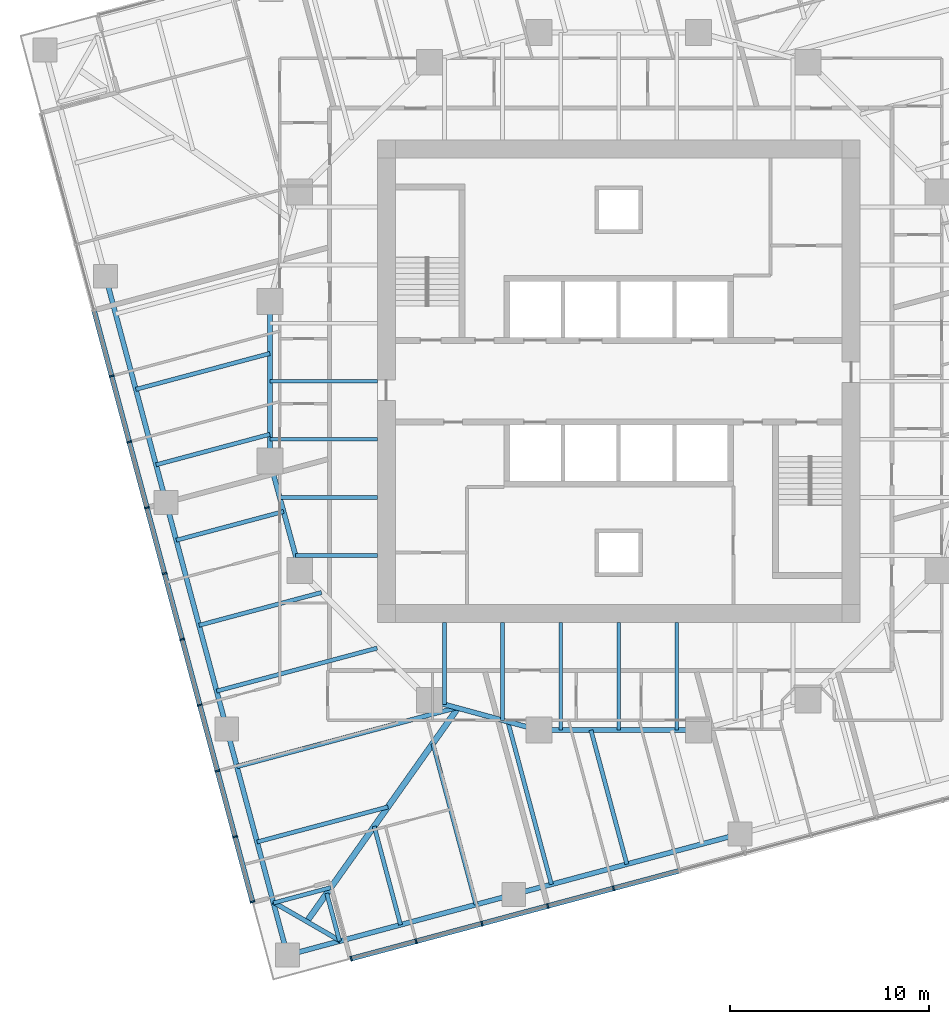
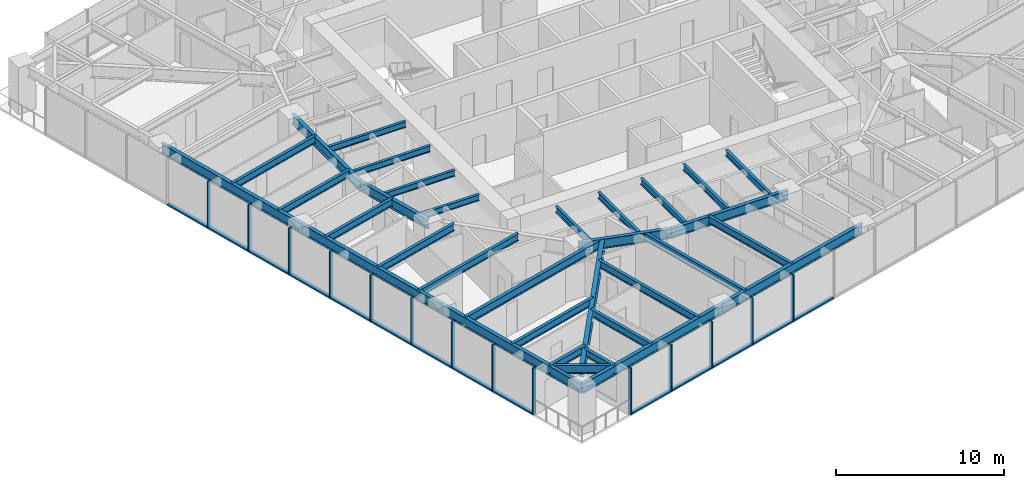
# One storey, part 2 of 14: 33 beams, 28 members, 2 elements without a shape of their own.
"""IFC4 building model written with IfcOpenShell, lengths in metres."""

from ifc_helpers import new_model, si_unit, direction, frame, origin, origin_2d, place, context, subcontext, project, spatial, rectangle, i_section, extrude, material, material_profile, profile_set, type_object, element, aggregate, save


model = new_model("IFC4")

# Units and contexts
model_context = context("Model", 3, precision=1e-05, world=origin(), true_north=direction((0.0, 1.0)))
body_context = subcontext(model_context, "Body", "Model", "MODEL_VIEW")
ifc_project = project(units=[si_unit("LENGTHUNIT", "METRE"), si_unit("AREAUNIT", "SQUARE_METRE"), si_unit("VOLUMEUNIT", "CUBIC_METRE"), si_unit("PLANEANGLEUNIT", "RADIAN"), si_unit("MASSUNIT", "GRAM", prefix="KILO")], contexts=[model_context])

# Site, building, storey
site_placement = place(None, origin())
site = spatial("IfcSite", under=ifc_project, at=site_placement, CompositionType="ELEMENT")
building_placement = place(site_placement, origin())
building = spatial("IfcBuilding", under=site, at=building_placement, Name="Torsade Residences", CompositionType="ELEMENT")
storey_placement = place(building_placement, frame((0.0, 0.0, 125.199951171875)))
storey = spatial("IfcBuildingStorey", under=building, at=storey_placement, Name="L34", CompositionType="ELEMENT", Elevation=125.199951171875)

# Beams
ifc_material_1 = material(Name="Steel grade 300", Category="steel")
ifc_material_profile_1 = material_profile(ifc_material_1, i_section(OverallWidth=0.300048828125, OverallDepth=0.89990234375, WebThickness=0.011962890625, FlangeThickness=0.02490234375, at=origin_2d()), Name="900WB175")
ifc_profile_set_1 = profile_set([ifc_material_profile_1], Name="Steel grade 300")
beam_type_1 = type_object("IfcBeamType", Name="CORNER GIRDER 900WB175", PredefinedType="BEAM", material=ifc_profile_set_1)
beam_1_placement = place(storey_placement, frame((24.355224609375, 2.902587890625, 2.800048828125), z_axis=(0.577683167004, 0.816261084801, 0.0), x_axis=(-0.816261084801, 0.577683167004, 0.0)))
element("IfcBeam", 1, at=beam_1_placement, inside=storey, type_object=beam_type_1, Name="Corner girder 01 L35", PredefinedType="BEAM", context=body_context, shape_type="SweptSolid", body=[
    extrude(i_section(OverallWidth=0.300048828125, OverallDepth=0.89990234375, WebThickness=0.011962890625, FlangeThickness=0.02490234375, at=origin_2d()), origin(), (0.0, 0.0, 1.0), 13.116943359375),
])
ifc_material_2 = material(Name="Steel grade 300", Category="steel")
ifc_material_profile_2 = material_profile(ifc_material_2, i_section(OverallWidth=0.22802734375, OverallDepth=0.60205078125, WebThickness=0.010498046875, FlangeThickness=0.014892578125, FilletRadius=0.013916015625, at=origin_2d()), Name="610UB101")
ifc_profile_set_2 = profile_set([ifc_material_profile_2], Name="Steel grade 300")
beam_type_2 = type_object("IfcBeamType", Name="CORNER TRIMMER 610UB101", PredefinedType="BEAM", material=ifc_profile_set_2)
beam_2_placement = place(storey_placement, frame((26.039306640625, 1.93017578125, 2.948974609375), z_axis=(-0.866028782848, 0.499994147244, 0.0), x_axis=(-0.499994147244, -0.866028782848, 0.0)))
element("IfcBeam", 2, at=beam_2_placement, inside=storey, type_object=beam_type_2, Name="Corner trimmer 01 L35", PredefinedType="BEAM", context=body_context, shape_type="SweptSolid", body=[
    extrude(i_section(OverallWidth=0.22802734375, OverallDepth=0.60205078125, WebThickness=0.010498046875, FlangeThickness=0.014892578125, FilletRadius=0.013916015625, at=origin_2d()), origin(), (0.0, 0.0, 1.0), 3.88916015625),
])
ifc_material_3 = material(Name="Steel grade 300", Category="steel")
ifc_material_profile_3 = material_profile(ifc_material_3, i_section(OverallWidth=0.25, OverallDepth=0.699951171875, WebThickness=0.010009765625, FlangeThickness=0.02001953125, at=origin_2d()), Name="700WB130")
ifc_profile_set_3 = profile_set([ifc_material_profile_3], Name="Steel grade 300")
beam_type_3 = type_object("IfcBeamType", Name="EDGE BEAM 700WB130", PredefinedType="SPANDREL", material=ifc_profile_set_3)
for number, where, z_axis, x_axis, name in (
    (3, (23.383056640625, 1.218505859375, 2.900146484375), (0.965928018634, 0.258810863021, 0.0), (-0.258810863021, 0.965928018634, 0.0), "Edge beam 01 L35"),
    (4, (34.732666015625, 4.259521484375, 2.900146484375), (0.965922824118, 0.258830249097, 0.0), (-0.258830249097, 0.965922824118, 0.0), "Edge beam 02 L35"),
    (5, (14.259521484375, 35.267333984375, 2.900146484375), (0.258830249097, -0.965922824118, 0.0), (0.965922824118, 0.258830249097, 0.0), "Edge beam 14 L35"),
    (6, (17.30078125, 23.917724609375, 2.900146484375), (0.258810863021, -0.965928018634, 0.0), (0.965928018634, 0.258810863021, 0.0), "Edge beam 15 L35"),
    (7, (20.341796875, 12.568115234375, 2.900146484375), (0.258830249097, -0.965922824118, 0.0), (0.965922824118, 0.258830249097, 0.0), "Edge beam 16 L35"),
):
    element("IfcBeam", number, at=place(storey_placement, frame(where, z_axis=z_axis, x_axis=x_axis)), inside=storey, type_object=beam_type_3, Name=name, PredefinedType="SPANDREL", context=body_context, shape_type="SweptSolid", body=[
        extrude(i_section(OverallWidth=0.25, OverallDepth=0.699951171875, WebThickness=0.010009765625, FlangeThickness=0.02001953125, at=origin_2d()), origin(), (0.0, 0.0, 1.0), 11.75),
    ])
ifc_material_4 = material(Name="Steel grade 300", Category="steel")
ifc_material_profile_4 = material_profile(ifc_material_4, i_section(OverallWidth=0.18994140625, OverallDepth=0.4541015625, WebThickness=0.008544921875, FlangeThickness=0.0126953125, FilletRadius=0.011474609375, at=origin_2d()), Name="460UB67.1")
ifc_profile_set_4 = profile_set([ifc_material_profile_4], Name="Steel grade 300")
beam_type_4 = type_object("IfcBeamType", Name="INNER FLOOR BEAM 460UB67.1", PredefinedType="JOIST", material=ifc_profile_set_4)
for number, where, z_axis, x_axis, name in (
    (8, (42.91259765625, 17.89990234375, 3.02294921875), (0.0, -1.0, 0.0), (1.0, 0.0, 0.0), "Inner floor beam IS03 L35"),
    (9, (40.0, 17.89990234375, 3.02294921875), (0.0, -1.0, 0.0), (1.0, 0.0, 0.0), "Inner floor beam IS04 L35"),
    (10, (37.08740234375, 17.89990234375, 3.02294921875), (0.0, -1.0, 0.0), (1.0, 0.0, 0.0), "Inner floor beam IS05 L35"),
):
    element("IfcBeam", number, at=place(storey_placement, frame(where, z_axis=z_axis, x_axis=x_axis)), inside=storey, type_object=beam_type_4, Name=name, PredefinedType="JOIST", context=body_context, shape_type="SweptSolid", body=[
        extrude(i_section(OverallWidth=0.18994140625, OverallDepth=0.4541015625, WebThickness=0.008544921875, FlangeThickness=0.0126953125, FilletRadius=0.011474609375, at=origin_2d()), origin(), (0.0, 0.0, 1.0), 5.39990234375),
    ])
beam_3_placement = place(storey_placement, frame((34.175048828125, 17.89990234375, 3.02294921875), z_axis=(0.0, -1.0, 0.0), x_axis=(1.0, 0.0, 0.0)))
element("IfcBeam", 11, at=beam_3_placement, inside=storey, type_object=beam_type_4, Name="Inner floor beam IS06 L35", PredefinedType="JOIST", context=body_context, shape_type="SweptSolid", body=[
    extrude(i_section(OverallWidth=0.18994140625, OverallDepth=0.4541015625, WebThickness=0.008544921875, FlangeThickness=0.0126953125, FilletRadius=0.011474609375, at=origin_2d()), origin(), (0.0, 0.0, 1.0), 4.902099609375),
])
beam_4_placement = place(storey_placement, frame((31.262451171875, 17.89990234375, 3.02294921875), z_axis=(0.0, -1.0, 0.0), x_axis=(1.0, 0.0, 0.0)))
element("IfcBeam", 12, at=beam_4_placement, inside=storey, type_object=beam_type_4, Name="Inner floor beam IS07 L35", PredefinedType="JOIST", context=body_context, shape_type="SweptSolid", body=[
    extrude(i_section(OverallWidth=0.18994140625, OverallDepth=0.4541015625, WebThickness=0.008544921875, FlangeThickness=0.0126953125, FilletRadius=0.011474609375, at=origin_2d()), origin(), (0.0, 0.0, 1.0), 4.10791015625),
])
for number, where, z_axis, x_axis, name in (
    (13, (27.89990234375, 30.0, 3.02294921875), (-1.0, 0.0, 0.0), (0.0, -1.0, 0.0), "Inner floor beam IW04 L35"),
    (14, (27.89990234375, 27.08740234375, 3.02294921875), (-1.0, 0.0, 0.0), (0.0, -1.0, 0.0), "Inner floor beam IW05 L35"),
):
    element("IfcBeam", number, at=place(storey_placement, frame(where, z_axis=z_axis, x_axis=x_axis)), inside=storey, type_object=beam_type_4, Name=name, PredefinedType="JOIST", context=body_context, shape_type="SweptSolid", body=[
        extrude(i_section(OverallWidth=0.18994140625, OverallDepth=0.4541015625, WebThickness=0.008544921875, FlangeThickness=0.0126953125, FilletRadius=0.011474609375, at=origin_2d()), origin(), (0.0, 0.0, 1.0), 5.39990234375),
    ])
beam_5_placement = place(storey_placement, frame((27.89990234375, 24.175048828125, 3.02294921875), z_axis=(-1.0, 0.0, 0.0), x_axis=(0.0, -1.0, 0.0)))
element("IfcBeam", 15, at=beam_5_placement, inside=storey, type_object=beam_type_4, Name="Inner floor beam IW06 L35", PredefinedType="JOIST", context=body_context, shape_type="SweptSolid", body=[
    extrude(i_section(OverallWidth=0.18994140625, OverallDepth=0.4541015625, WebThickness=0.008544921875, FlangeThickness=0.0126953125, FilletRadius=0.011474609375, at=origin_2d()), origin(), (0.0, 0.0, 1.0), 4.902099609375),
])
beam_6_placement = place(storey_placement, frame((27.89990234375, 21.262451171875, 3.02294921875), z_axis=(-1.0, 0.0, 0.0), x_axis=(0.0, -1.0, 0.0)))
element("IfcBeam", 16, at=beam_6_placement, inside=storey, type_object=beam_type_4, Name="Inner floor beam IW07 L35", PredefinedType="JOIST", context=body_context, shape_type="SweptSolid", body=[
    extrude(i_section(OverallWidth=0.18994140625, OverallDepth=0.4541015625, WebThickness=0.008544921875, FlangeThickness=0.0126953125, FilletRadius=0.011474609375, at=origin_2d()), origin(), (0.0, 0.0, 1.0), 4.10791015625),
])

# Curtain wall, members
ifc_material_5 = material(Name="Aluminium and glass", Category="aluminium")
curtain_wall_type = type_object("IfcCurtainWallType", Name="FRITTED GLASS CURTAIN WALL MID ZONE", PredefinedType="NOTDEFINED", material=ifc_material_5)
curtain_wall_1_placement = place(storey_placement, origin())
curtain_wall_1 = element("IfcCurtainWall", 17, at=curtain_wall_1_placement, inside=storey, type_object=curtain_wall_type, Name="Curtain wall L34 face 1", PredefinedType="NOTDEFINED")
ifc_material_6 = material(Name="Aluminium mullion", Category="aluminium")
ifc_material_profile_5 = material_profile(ifc_material_6, rectangle(XDim=0.25, YDim=0.080078125, at=origin_2d()), Name="MID ZONE CURTAIN WALL MULLION 250x80")
ifc_profile_set_5 = profile_set([ifc_material_profile_5], Name="Aluminium mullion")
member_type_1 = type_object("IfcMemberType", Name="MID ZONE CURTAIN WALL MULLION 250x80", PredefinedType="MULLION", material=ifc_profile_set_5)
member_1_placement = place(storey_placement, frame((26.578125, 1.039306640625, 0.0), z_axis=(0.0, 0.0, 1.0), x_axis=(-0.258819047783, 0.965925825571, 0.0)))
member_1 = element("IfcMember", 18, at=member_1_placement, type_object=member_type_1, Name="Mullion 1", PredefinedType="MULLION", context=body_context, shape_type="SweptSolid", body=[
    extrude(rectangle(XDim=0.25, YDim=0.080078125, at=origin_2d()), origin(), (0.0, 0.0, 1.0), 3.400146484375),
])
member_2_placement = place(storey_placement, frame((29.83984375, 1.913330078125, 0.0), z_axis=(0.0, 0.0, 1.0), x_axis=(-0.258819047783, 0.965925825571, 0.0)))
member_2 = element("IfcMember", 19, at=member_2_placement, type_object=member_type_1, Name="Mullion 2", PredefinedType="MULLION", context=body_context, shape_type="SweptSolid", body=[
    extrude(rectangle(XDim=0.25, YDim=0.080078125, at=origin_2d()), origin(), (0.0, 0.0, 1.0), 3.400146484375),
])
member_3_placement = place(storey_placement, frame((33.14013671875, 2.797607421875, 0.0), z_axis=(0.0, 0.0, 1.0), x_axis=(-0.258819047783, 0.965925825571, 0.0)))
member_3 = element("IfcMember", 20, at=member_3_placement, type_object=member_type_1, Name="Mullion 3", PredefinedType="MULLION", context=body_context, shape_type="SweptSolid", body=[
    extrude(rectangle(XDim=0.25, YDim=0.080078125, at=origin_2d()), origin(), (0.0, 0.0, 1.0), 3.400146484375),
])
member_4_placement = place(storey_placement, frame((36.4404296875, 3.681884765625, 0.0), z_axis=(0.0, 0.0, 1.0), x_axis=(-0.258819047783, 0.965925825571, 0.0)))
member_4 = element("IfcMember", 21, at=member_4_placement, type_object=member_type_1, Name="Mullion 4", PredefinedType="MULLION", context=body_context, shape_type="SweptSolid", body=[
    extrude(rectangle(XDim=0.25, YDim=0.080078125, at=origin_2d()), origin(), (0.0, 0.0, 1.0), 3.400146484375),
])
member_5_placement = place(storey_placement, frame((39.740478515625, 4.566162109375, 0.0), z_axis=(0.0, 0.0, 1.0), x_axis=(-0.258819047783, 0.965925825571, 0.0)))
member_5 = element("IfcMember", 22, at=member_5_placement, type_object=member_type_1, Name="Mullion 5", PredefinedType="MULLION", context=body_context, shape_type="SweptSolid", body=[
    extrude(rectangle(XDim=0.25, YDim=0.080078125, at=origin_2d()), origin(), (0.0, 0.0, 1.0), 3.400146484375),
])

curtain_wall_2_placement = place(storey_placement, origin())
curtain_wall_2 = element("IfcCurtainWall", 23, at=curtain_wall_2_placement, inside=storey, type_object=curtain_wall_type, Name="Curtain wall L34 face 10", PredefinedType="NOTDEFINED")
member_6_placement = place(storey_placement, frame((14.566162109375, 30.259521484375, 0.0), z_axis=(0.0, 0.0, 1.0), x_axis=(0.965925825571, 0.258819047783, 0.0)))
member_6 = element("IfcMember", 24, at=member_6_placement, type_object=member_type_1, Name="Mullion 5", PredefinedType="MULLION", context=body_context, shape_type="SweptSolid", body=[
    extrude(rectangle(XDim=0.25, YDim=0.080078125, at=origin_2d()), origin(), (0.0, 0.0, 1.0), 3.400146484375),
])
member_7_placement = place(storey_placement, frame((15.450439453125, 26.959228515625, 0.0), z_axis=(0.0, 0.0, 1.0), x_axis=(0.965925825571, 0.258819047783, 0.0)))
member_7 = element("IfcMember", 25, at=member_7_placement, type_object=member_type_1, Name="Mullion 6", PredefinedType="MULLION", context=body_context, shape_type="SweptSolid", body=[
    extrude(rectangle(XDim=0.25, YDim=0.080078125, at=origin_2d()), origin(), (0.0, 0.0, 1.0), 3.400146484375),
])
member_8_placement = place(storey_placement, frame((16.334716796875, 23.658935546875, 0.0), z_axis=(0.0, 0.0, 1.0), x_axis=(0.965925825571, 0.258819047783, 0.0)))
member_8 = element("IfcMember", 26, at=member_8_placement, type_object=member_type_1, Name="Mullion 7", PredefinedType="MULLION", context=body_context, shape_type="SweptSolid", body=[
    extrude(rectangle(XDim=0.25, YDim=0.080078125, at=origin_2d()), origin(), (0.0, 0.0, 1.0), 3.400146484375),
])
member_9_placement = place(storey_placement, frame((17.218994140625, 20.358642578125, 0.0), z_axis=(0.0, 0.0, 1.0), x_axis=(0.965925825571, 0.258819047783, 0.0)))
member_9 = element("IfcMember", 27, at=member_9_placement, type_object=member_type_1, Name="Mullion 8", PredefinedType="MULLION", context=body_context, shape_type="SweptSolid", body=[
    extrude(rectangle(XDim=0.25, YDim=0.080078125, at=origin_2d()), origin(), (0.0, 0.0, 1.0), 3.400146484375),
])
member_10_placement = place(storey_placement, frame((18.103515625, 17.058349609375, 0.0), z_axis=(0.0, 0.0, 1.0), x_axis=(0.965925825571, 0.258819047783, 0.0)))
member_10 = element("IfcMember", 28, at=member_10_placement, type_object=member_type_1, Name="Mullion 9", PredefinedType="MULLION", context=body_context, shape_type="SweptSolid", body=[
    extrude(rectangle(XDim=0.25, YDim=0.080078125, at=origin_2d()), origin(), (0.0, 0.0, 1.0), 3.400146484375),
])
member_11_placement = place(storey_placement, frame((18.98779296875, 13.75830078125, 0.0), z_axis=(0.0, 0.0, 1.0), x_axis=(0.965925825571, 0.258819047783, 0.0)))
member_11 = element("IfcMember", 29, at=member_11_placement, type_object=member_type_1, Name="Mullion 10", PredefinedType="MULLION", context=body_context, shape_type="SweptSolid", body=[
    extrude(rectangle(XDim=0.25, YDim=0.080078125, at=origin_2d()), origin(), (0.0, 0.0, 1.0), 3.400146484375),
])
member_12_placement = place(storey_placement, frame((19.8720703125, 10.4580078125, 0.0), z_axis=(0.0, 0.0, 1.0), x_axis=(0.965925825571, 0.258819047783, 0.0)))
member_12 = element("IfcMember", 30, at=member_12_placement, type_object=member_type_1, Name="Mullion 11", PredefinedType="MULLION", context=body_context, shape_type="SweptSolid", body=[
    extrude(rectangle(XDim=0.25, YDim=0.080078125, at=origin_2d()), origin(), (0.0, 0.0, 1.0), 3.400146484375),
])
member_13_placement = place(storey_placement, frame((20.75634765625, 7.15771484375, 0.0), z_axis=(0.0, 0.0, 1.0), x_axis=(0.965925825571, 0.258819047783, 0.0)))
member_13 = element("IfcMember", 31, at=member_13_placement, type_object=member_type_1, Name="Mullion 12", PredefinedType="MULLION", context=body_context, shape_type="SweptSolid", body=[
    extrude(rectangle(XDim=0.25, YDim=0.080078125, at=origin_2d()), origin(), (0.0, 0.0, 1.0), 3.400146484375),
])
member_14_placement = place(storey_placement, frame((21.63037109375, 3.89599609375, 0.0), z_axis=(0.0, 0.0, 1.0), x_axis=(0.965925825571, 0.258819047783, 0.0)))
member_14 = element("IfcMember", 32, at=member_14_placement, type_object=member_type_1, Name="Mullion 13", PredefinedType="MULLION", context=body_context, shape_type="SweptSolid", body=[
    extrude(rectangle(XDim=0.25, YDim=0.080078125, at=origin_2d()), origin(), (0.0, 0.0, 1.0), 3.400146484375),
])

# Member
ifc_material_7 = material(Name="Aluminium transom", Category="aluminium")
ifc_material_profile_6 = material_profile(ifc_material_7, rectangle(XDim=0.25, YDim=0.110107421875, at=origin_2d()), Name="MID ZONE CURTAIN WALL TRANSOM 250x110")
ifc_profile_set_6 = profile_set([ifc_material_profile_6], Name="Aluminium transom")
member_type_2 = type_object("IfcMemberType", Name="MID ZONE CURTAIN WALL TRANSOM 250x110", PredefinedType="USERDEFINED", material=ifc_profile_set_6)
member_15_placement = place(storey_placement, frame((26.616943359375, 1.0498046875, 0.054931640625), z_axis=(0.965923258633, 0.258828627534, 0.0), x_axis=(-0.258828627534, 0.965923258633, 0.0)))
member_15 = element("IfcMember", 33, at=member_15_placement, type_object=member_type_2, Name="Transom 1.1", ObjectType="TRANSOM", PredefinedType="USERDEFINED", context=body_context, shape_type="SweptSolid", body=[
    extrude(rectangle(XDim=0.25, YDim=0.110107421875, at=origin_2d()), origin(), (0.0, 0.0, 1.0), 3.296630859375),
])

member_16_placement = place(storey_placement, frame((29.87841796875, 1.923583984375, 0.054931640625), z_axis=(0.965916044226, 0.258855549498, 0.0), x_axis=(-0.258855549498, 0.965916044226, 0.0)))
member_16 = element("IfcMember", 34, at=member_16_placement, type_object=member_type_2, Name="Transom 2.1", ObjectType="TRANSOM", PredefinedType="USERDEFINED", context=body_context, shape_type="SweptSolid", body=[
    extrude(rectangle(XDim=0.25, YDim=0.110107421875, at=origin_2d()), origin(), (0.0, 0.0, 1.0), 3.3369140625),
])

member_17_placement = place(storey_placement, frame((33.1787109375, 2.807861328125, 0.054931640625), z_axis=(0.96591114124, 0.258873844232, 0.0), x_axis=(-0.258873844232, 0.96591114124, 0.0)))
member_17 = element("IfcMember", 35, at=member_17_placement, type_object=member_type_2, Name="Transom 3.1", ObjectType="TRANSOM", PredefinedType="USERDEFINED", context=body_context, shape_type="SweptSolid", body=[
    extrude(rectangle(XDim=0.25, YDim=0.110107421875, at=origin_2d()), origin(), (0.0, 0.0, 1.0), 3.336669921875),
])

member_18_placement = place(storey_placement, frame((36.47900390625, 3.6923828125, 0.054931640625), z_axis=(0.965929435155, 0.258805576255, 0.0), x_axis=(-0.258805576255, 0.965929435155, 0.0)))
member_18 = element("IfcMember", 36, at=member_18_placement, type_object=member_type_2, Name="Transom 4.1", ObjectType="TRANSOM", PredefinedType="USERDEFINED", context=body_context, shape_type="SweptSolid", body=[
    extrude(rectangle(XDim=0.25, YDim=0.110107421875, at=origin_2d()), origin(), (0.0, 0.0, 1.0), 3.336669921875),
])

member_19_placement = place(storey_placement, frame((39.779296875, 4.57666015625, 0.054931640625), z_axis=(0.965929435155, 0.258805576255, 0.0), x_axis=(-0.258805576255, 0.965929435155, 0.0)))
member_19 = element("IfcMember", 37, at=member_19_placement, type_object=member_type_2, Name="Transom 5.1", ObjectType="TRANSOM", PredefinedType="USERDEFINED", context=body_context, shape_type="SweptSolid", body=[
    extrude(rectangle(XDim=0.25, YDim=0.110107421875, at=origin_2d()), origin(), (0.0, 0.0, 1.0), 3.336669921875),
])

aggregate(curtain_wall_1, [member_1, member_2, member_3, member_4, member_5, member_15, member_16, member_17, member_18, member_19])

member_20_placement = place(storey_placement, frame((13.6923828125, 33.52099609375, 0.054931640625), z_axis=(0.258805576255, -0.965929435155, 0.0), x_axis=(0.965929435155, 0.258805576255, 0.0)))
member_20 = element("IfcMember", 38, at=member_20_placement, type_object=member_type_2, Name="Transom 4.1", ObjectType="TRANSOM", PredefinedType="USERDEFINED", context=body_context, shape_type="SweptSolid", body=[
    extrude(rectangle(XDim=0.25, YDim=0.110107421875, at=origin_2d()), origin(), (0.0, 0.0, 1.0), 3.336669921875),
])

member_21_placement = place(storey_placement, frame((14.57666015625, 30.220703125, 0.054931640625), z_axis=(0.258805576255, -0.965929435155, 0.0), x_axis=(0.965929435155, 0.258805576255, 0.0)))
member_21 = element("IfcMember", 39, at=member_21_placement, type_object=member_type_2, Name="Transom 5.1", ObjectType="TRANSOM", PredefinedType="USERDEFINED", context=body_context, shape_type="SweptSolid", body=[
    extrude(rectangle(XDim=0.25, YDim=0.110107421875, at=origin_2d()), origin(), (0.0, 0.0, 1.0), 3.336669921875),
])

member_22_placement = place(storey_placement, frame((15.4609375, 26.920654296875, 0.054931640625), z_axis=(0.258787285653, -0.965934335648, 0.0), x_axis=(0.965934335648, 0.258787285653, 0.0)))
member_22 = element("IfcMember", 40, at=member_22_placement, type_object=member_type_2, Name="Transom 6.1", ObjectType="TRANSOM", PredefinedType="USERDEFINED", context=body_context, shape_type="SweptSolid", body=[
    extrude(rectangle(XDim=0.25, YDim=0.110107421875, at=origin_2d()), origin(), (0.0, 0.0, 1.0), 3.3369140625),
])

member_23_placement = place(storey_placement, frame((16.34521484375, 23.620361328125, 0.054931640625), z_axis=(0.258787285653, -0.965934335648, 0.0), x_axis=(0.965934335648, 0.258787285653, 0.0)))
member_23 = element("IfcMember", 41, at=member_23_placement, type_object=member_type_2, Name="Transom 7.1", ObjectType="TRANSOM", PredefinedType="USERDEFINED", context=body_context, shape_type="SweptSolid", body=[
    extrude(rectangle(XDim=0.25, YDim=0.110107421875, at=origin_2d()), origin(), (0.0, 0.0, 1.0), 3.3369140625),
])

member_24_placement = place(storey_placement, frame((17.2294921875, 20.320068359375, 0.054931640625), z_axis=(0.258805576255, -0.965929435155, 0.0), x_axis=(0.965929435155, 0.258805576255, 0.0)))
member_24 = element("IfcMember", 42, at=member_24_placement, type_object=member_type_2, Name="Transom 8.1", ObjectType="TRANSOM", PredefinedType="USERDEFINED", context=body_context, shape_type="SweptSolid", body=[
    extrude(rectangle(XDim=0.25, YDim=0.110107421875, at=origin_2d()), origin(), (0.0, 0.0, 1.0), 3.336669921875),
])

member_25_placement = place(storey_placement, frame((18.11376953125, 17.019775390625, 0.054931640625), z_axis=(0.258805576255, -0.965929435155, 0.0), x_axis=(0.965929435155, 0.258805576255, 0.0)))
member_25 = element("IfcMember", 43, at=member_25_placement, type_object=member_type_2, Name="Transom 9.1", ObjectType="TRANSOM", PredefinedType="USERDEFINED", context=body_context, shape_type="SweptSolid", body=[
    extrude(rectangle(XDim=0.25, YDim=0.110107421875, at=origin_2d()), origin(), (0.0, 0.0, 1.0), 3.336669921875),
])

member_26_placement = place(storey_placement, frame((18.998046875, 13.719482421875, 0.054931640625), z_axis=(0.258805576255, -0.965929435155, 0.0), x_axis=(0.965929435155, 0.258805576255, 0.0)))
member_26 = element("IfcMember", 44, at=member_26_placement, type_object=member_type_2, Name="Transom 10.1", ObjectType="TRANSOM", PredefinedType="USERDEFINED", context=body_context, shape_type="SweptSolid", body=[
    extrude(rectangle(XDim=0.25, YDim=0.110107421875, at=origin_2d()), origin(), (0.0, 0.0, 1.0), 3.336669921875),
])

member_27_placement = place(storey_placement, frame((19.88232421875, 10.419189453125, 0.054931640625), z_axis=(0.258805576255, -0.965929435155, 0.0), x_axis=(0.965929435155, 0.258805576255, 0.0)))
member_27 = element("IfcMember", 45, at=member_27_placement, type_object=member_type_2, Name="Transom 11.1", ObjectType="TRANSOM", PredefinedType="USERDEFINED", context=body_context, shape_type="SweptSolid", body=[
    extrude(rectangle(XDim=0.25, YDim=0.110107421875, at=origin_2d()), origin(), (0.0, 0.0, 1.0), 3.336669921875),
])

member_28_placement = place(storey_placement, frame((20.7666015625, 7.119140625, 0.054931640625), z_axis=(0.258828627534, -0.965923258633, 0.0), x_axis=(0.965923258633, 0.258828627534, 0.0)))
member_28 = element("IfcMember", 46, at=member_28_placement, type_object=member_type_2, Name="Transom 12.1", ObjectType="TRANSOM", PredefinedType="USERDEFINED", context=body_context, shape_type="SweptSolid", body=[
    extrude(rectangle(XDim=0.25, YDim=0.110107421875, at=origin_2d()), origin(), (0.0, 0.0, 1.0), 3.296630859375),
])

aggregate(curtain_wall_2, [member_6, member_7, member_8, member_9, member_10, member_11, member_12, member_13, member_14, member_20, member_21, member_22, member_23, member_24, member_25, member_26, member_27, member_28])

# Beams
ifc_material_8 = material(Name="Steel grade 300", Category="steel")
ifc_material_profile_7 = material_profile(ifc_material_8, i_section(OverallWidth=0.25, OverallDepth=0.699951171875, WebThickness=0.010009765625, FlangeThickness=0.02001953125, at=origin_2d()), Name="700WB130")
ifc_profile_set_7 = profile_set([ifc_material_profile_7], Name="Steel grade 300")
beam_type_5 = type_object("IfcBeamType", Name="RING GIRDER 700WB130", PredefinedType="BEAM", material=ifc_profile_set_7)
beam_7_placement = place(storey_placement, frame((22.5, 34.0, 2.900146484375), z_axis=(0.0, -1.0, 0.0), x_axis=(1.0, 0.0, 0.0)))
element("IfcBeam", 47, at=beam_7_placement, inside=storey, type_object=beam_type_5, Name="Ring girder IR09 L35", PredefinedType="BEAM", context=body_context, shape_type="SweptSolid", body=[
    extrude(i_section(OverallWidth=0.25, OverallDepth=0.699951171875, WebThickness=0.010009765625, FlangeThickness=0.02001953125, at=origin_2d()), origin(), (0.0, 0.0, 1.0), 8.0),
])
for number, where, z_axis, x_axis, name in (
    (48, (22.5, 26.0, 2.900146484375), (0.263117405792, -0.964763821238, 0.0), (0.964763821238, 0.263117405792, 0.0), "Ring girder IR10 L35"),
    (49, (30.5, 14.0, 2.900146484375), (0.964763821238, -0.263117405792, 0.0), (0.263117405792, 0.964763821238, 0.0), "Ring girder IR12 L35"),
):
    element("IfcBeam", number, at=place(storey_placement, frame(where, z_axis=z_axis, x_axis=x_axis)), inside=storey, type_object=beam_type_5, Name=name, PredefinedType="BEAM", context=body_context, shape_type="SweptSolid", body=[
        extrude(i_section(OverallWidth=0.25, OverallDepth=0.699951171875, WebThickness=0.010009765625, FlangeThickness=0.02001953125, at=origin_2d()), origin(), (0.0, 0.0, 1.0), 5.700927734375),
    ])
beam_8_placement = place(storey_placement, frame((36.0, 12.5, 2.900146484375), z_axis=(1.0, 0.0, 0.0), x_axis=(0.0, 1.0, 0.0)))
element("IfcBeam", 50, at=beam_8_placement, inside=storey, type_object=beam_type_5, Name="Ring girder IR13 L35", PredefinedType="BEAM", context=body_context, shape_type="SweptSolid", body=[
    extrude(i_section(OverallWidth=0.25, OverallDepth=0.699951171875, WebThickness=0.010009765625, FlangeThickness=0.02001953125, at=origin_2d()), origin(), (0.0, 0.0, 1.0), 8.0),
])
ifc_material_9 = material(Name="Steel grade 300", Category="steel")
ifc_material_profile_8 = material_profile(ifc_material_9, i_section(OverallWidth=0.208984375, OverallDepth=0.528076171875, WebThickness=0.009521484375, FlangeThickness=0.01318359375, FilletRadius=0.013916015625, at=origin_2d()), Name="530UB82.0")
ifc_profile_set_8 = profile_set([ifc_material_profile_8], Name="Steel grade 300")
beam_type_6 = type_object("IfcBeamType", Name="SECONDARY BEAM 530UB82.0", PredefinedType="JOIST", material=ifc_profile_set_8)
beam_9_placement = place(storey_placement, frame((25.9990234375, 1.91943359375, 2.986083984375), z_axis=(-0.258837674225, 0.965920834438, 0.0), x_axis=(-0.965920834438, -0.258837674225, 0.0)))
element("IfcBeam", 51, at=beam_9_placement, inside=storey, type_object=beam_type_6, Name="Floor beam FS01 L35", PredefinedType="JOIST", context=body_context, shape_type="SweptSolid", body=[
    extrude(i_section(OverallWidth=0.208984375, OverallDepth=0.528076171875, WebThickness=0.009521484375, FlangeThickness=0.01318359375, FilletRadius=0.013916015625, at=origin_2d()), origin(), (0.0, 0.0, 1.0), 2.482666015625),
])
beam_10_placement = place(storey_placement, frame((29.057861328125, 2.739013671875, 2.986083984375), z_axis=(-0.258815647274, 0.965926736728, 0.0), x_axis=(-0.965926736728, -0.258815647274, 0.0)))
element("IfcBeam", 52, at=beam_10_placement, inside=storey, type_object=beam_type_6, Name="Floor beam FS02 L35", PredefinedType="JOIST", context=body_context, shape_type="SweptSolid", body=[
    extrude(i_section(OverallWidth=0.208984375, OverallDepth=0.528076171875, WebThickness=0.009521484375, FlangeThickness=0.01318359375, FilletRadius=0.013916015625, at=origin_2d()), origin(), (0.0, 0.0, 1.0), 5.11279296875),
])
beam_11_placement = place(storey_placement, frame((32.841064453125, 3.752685546875, 2.986083984375), z_axis=(-0.258823120582, 0.965924734258, 0.0), x_axis=(-0.965924734258, -0.258823120582, 0.0)))
element("IfcBeam", 53, at=beam_11_placement, inside=storey, type_object=beam_type_6, Name="Floor beam FS03 L35", PredefinedType="JOIST", context=body_context, shape_type="SweptSolid", body=[
    extrude(i_section(OverallWidth=0.208984375, OverallDepth=0.528076171875, WebThickness=0.009521484375, FlangeThickness=0.01318359375, FilletRadius=0.013916015625, at=origin_2d()), origin(), (0.0, 0.0, 1.0), 8.365966796875),
])
beam_12_placement = place(storey_placement, frame((36.624267578125, 4.766357421875, 2.986083984375), z_axis=(-0.258808315464, 0.965928701223, 0.0), x_axis=(-0.965928701223, -0.258808315464, 0.0)))
element("IfcBeam", 54, at=beam_12_placement, inside=storey, type_object=beam_type_6, Name="Floor beam FS04 L35", PredefinedType="JOIST", context=body_context, shape_type="SweptSolid", body=[
    extrude(i_section(OverallWidth=0.208984375, OverallDepth=0.528076171875, WebThickness=0.009521484375, FlangeThickness=0.01318359375, FilletRadius=0.013916015625, at=origin_2d()), origin(), (0.0, 0.0, 1.0), 8.447509765625),
])
for number, where, z_axis, x_axis, name in (
    (55, (40.407470703125, 5.7802734375, 2.986083984375), (-0.258817945835, 0.965926120836, 0.0), (-0.965926120836, -0.258817945835, 0.0), "Floor beam FS05 L35"),
    (56, (15.7802734375, 29.592529296875, 2.986083984375), (0.965926120836, 0.258817945835, 0.0), (-0.258817945835, 0.965926120836, 0.0), "Floor beam FW05 L35"),
):
    element("IfcBeam", number, at=place(storey_placement, frame(where, z_axis=z_axis, x_axis=x_axis)), inside=storey, type_object=beam_type_6, Name=name, PredefinedType="JOIST", context=body_context, shape_type="SweptSolid", body=[
        extrude(i_section(OverallWidth=0.208984375, OverallDepth=0.528076171875, WebThickness=0.009521484375, FlangeThickness=0.01318359375, FilletRadius=0.013916015625, at=origin_2d()), origin(), (0.0, 0.0, 1.0), 6.956787109375),
    ])
beam_13_placement = place(storey_placement, frame((16.7939453125, 25.809326171875, 2.986083984375), z_axis=(0.965920748174, 0.258837996141, 0.0), x_axis=(-0.258837996141, 0.965920748174, 0.0)))
element("IfcBeam", 57, at=beam_13_placement, inside=storey, type_object=beam_type_6, Name="Floor beam FW06 L35", PredefinedType="JOIST", context=body_context, shape_type="SweptSolid", body=[
    extrude(i_section(OverallWidth=0.208984375, OverallDepth=0.528076171875, WebThickness=0.009521484375, FlangeThickness=0.01318359375, FilletRadius=0.013916015625, at=origin_2d()), origin(), (0.0, 0.0, 1.0), 5.907470703125),
])
beam_14_placement = place(storey_placement, frame((17.8076171875, 22.026123046875, 2.986083984375), z_axis=(0.965923020144, 0.258829517553, 0.0), x_axis=(-0.258829517553, 0.965923020144, 0.0)))
element("IfcBeam", 58, at=beam_14_placement, inside=storey, type_object=beam_type_6, Name="Floor beam FW07 L35", PredefinedType="JOIST", context=body_context, shape_type="SweptSolid", body=[
    extrude(i_section(OverallWidth=0.208984375, OverallDepth=0.528076171875, WebThickness=0.009521484375, FlangeThickness=0.01318359375, FilletRadius=0.013916015625, at=origin_2d()), origin(), (0.0, 0.0, 1.0), 5.57275390625),
])
beam_15_placement = place(storey_placement, frame((18.95068359375, 17.760009765625, 2.986083984375), z_axis=(0.965929717932, 0.258804520856, 0.0), x_axis=(-0.258804520856, 0.965929717932, 0.0)))
element("IfcBeam", 59, at=beam_15_placement, inside=storey, type_object=beam_type_6, Name="Floor beam FW08 L35", PredefinedType="JOIST", context=body_context, shape_type="SweptSolid", body=[
    extrude(i_section(OverallWidth=0.208984375, OverallDepth=0.528076171875, WebThickness=0.009521484375, FlangeThickness=0.01318359375, FilletRadius=0.013916015625, at=origin_2d()), origin(), (0.0, 0.0, 1.0), 6.360107421875),
])
beam_16_placement = place(storey_placement, frame((19.8349609375, 14.459716796875, 2.986083984375), z_axis=(0.96592202475, 0.258833232221, 0.0), x_axis=(-0.258833232221, 0.96592202475, 0.0)))
element("IfcBeam", 60, at=beam_16_placement, inside=storey, type_object=beam_type_6, Name="Floor beam FW09 L35", PredefinedType="JOIST", context=body_context, shape_type="SweptSolid", body=[
    extrude(i_section(OverallWidth=0.208984375, OverallDepth=0.528076171875, WebThickness=0.009521484375, FlangeThickness=0.01318359375, FilletRadius=0.013916015625, at=origin_2d()), origin(), (0.0, 0.0, 1.0), 8.33251953125),
])
beam_17_placement = place(storey_placement, frame((21.862548828125, 6.893310546875, 2.986083984375), z_axis=(0.965927035229, 0.258814533235, 0.0), x_axis=(-0.258814533235, 0.965927035229, 0.0)))
element("IfcBeam", 61, at=beam_17_placement, inside=storey, type_object=beam_type_6, Name="Floor beam FW11 L35", PredefinedType="JOIST", context=body_context, shape_type="SweptSolid", body=[
    extrude(i_section(OverallWidth=0.208984375, OverallDepth=0.528076171875, WebThickness=0.009521484375, FlangeThickness=0.01318359375, FilletRadius=0.013916015625, at=origin_2d()), origin(), (0.0, 0.0, 1.0), 6.792724609375),
])
beam_18_placement = place(storey_placement, frame((22.68212890625, 3.83447265625, 2.986083984375), z_axis=(0.965913310475, 0.258865750242, 0.0), x_axis=(-0.258865750242, 0.965913310475, 0.0)))
element("IfcBeam", 62, at=beam_18_placement, inside=storey, type_object=beam_type_6, Name="Floor beam FW12 L35", PredefinedType="JOIST", context=body_context, shape_type="SweptSolid", body=[
    extrude(i_section(OverallWidth=0.208984375, OverallDepth=0.528076171875, WebThickness=0.009521484375, FlangeThickness=0.01318359375, FilletRadius=0.013916015625, at=origin_2d()), origin(), (0.0, 0.0, 1.0), 2.980224609375),
])
ifc_material_10 = material(Name="Steel grade 300", Category="steel")
ifc_material_profile_9 = material_profile(ifc_material_10, i_section(OverallWidth=0.22900390625, OverallDepth=0.612060546875, WebThickness=0.011962890625, FlangeThickness=0.01953125, FilletRadius=0.013916015625, at=origin_2d()), Name="610UB125")
ifc_profile_set_9 = profile_set([ifc_material_profile_9], Name="Steel grade 300")
beam_type_7 = type_object("IfcBeamType", Name="SECONDARY BEAM 610UB125", PredefinedType="JOIST", material=ifc_profile_set_9)
beam_19_placement = place(storey_placement, frame((20.8486328125, 10.676513671875, 2.944091796875), z_axis=(0.965929035417, 0.258807068179, 0.0), x_axis=(-0.258807068179, 0.965929035417, 0.0)))
element("IfcBeam", 63, at=beam_19_placement, inside=storey, type_object=beam_type_7, Name="Floor beam FW10 L35", PredefinedType="JOIST", context=body_context, shape_type="SweptSolid", body=[
    extrude(i_section(OverallWidth=0.22900390625, OverallDepth=0.612060546875, WebThickness=0.011962890625, FlangeThickness=0.01953125, FilletRadius=0.013916015625, at=origin_2d()), origin(), (0.0, 0.0, 1.0), 11.40380859375),
])

save(model, "model.ifc")
